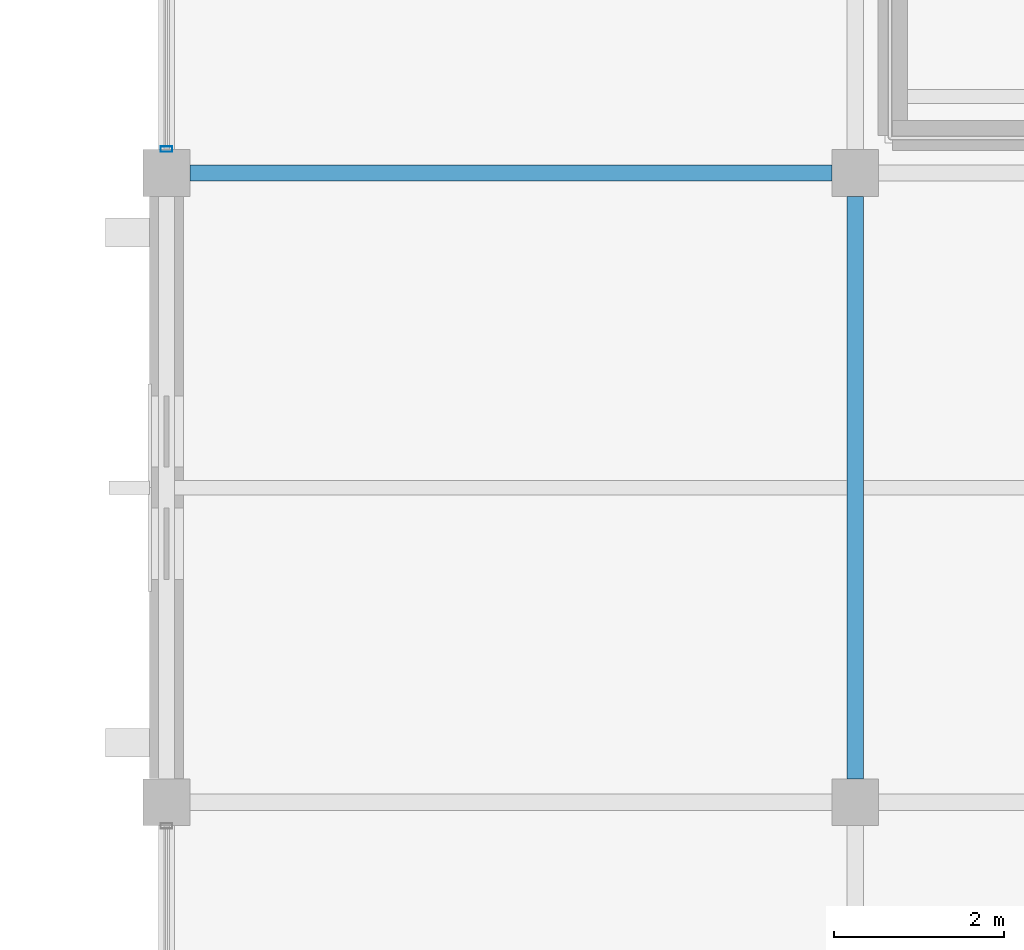
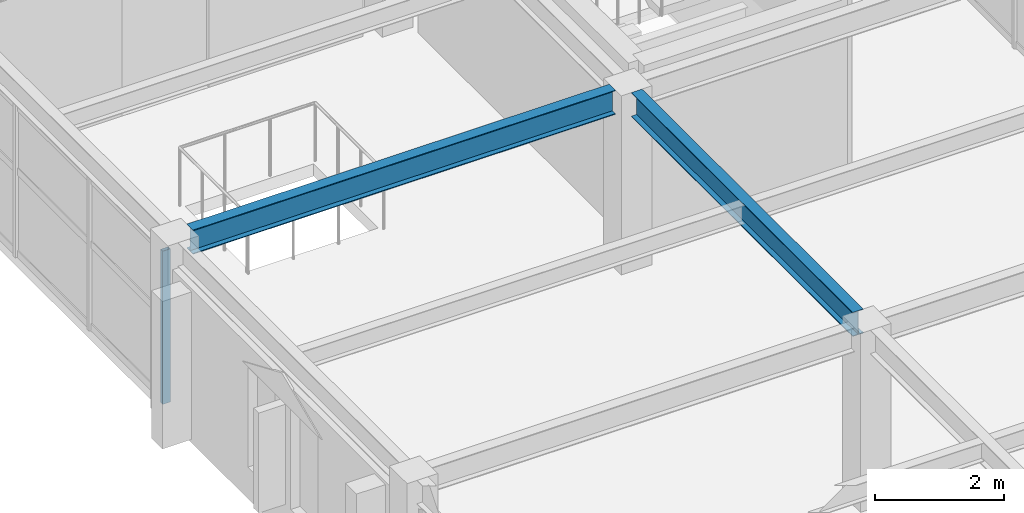
# One storey, part 13 of 93: 2 beams, 1 member, 1 element without a shape of its own.
"""IFC4 building model written with IfcOpenShell, lengths in metres."""

from ifc_helpers import new_model, si_unit, direction, frame, origin, origin_2d, place, context, subcontext, project, spatial, hollow_rectangle, i_section, extrude, material, material_profile, profile_set, type_object, element, aggregate, save


model = new_model("IFC4")

# Units and contexts
model_context = context("Model", 3, precision=1e-05, world=origin(), true_north=direction((0.0, 1.0)))
body_context = subcontext(model_context, "Body", "Model", "MODEL_VIEW")
ifc_project = project(units=[si_unit("LENGTHUNIT", "METRE"), si_unit("AREAUNIT", "SQUARE_METRE"), si_unit("VOLUMEUNIT", "CUBIC_METRE"), si_unit("PLANEANGLEUNIT", "RADIAN"), si_unit("MASSUNIT", "GRAM", prefix="KILO")], contexts=[model_context])

# Site, building, storey
site_placement = place(None, origin())
site = spatial("IfcSite", under=ifc_project, at=site_placement, CompositionType="ELEMENT")
building_placement = place(site_placement, origin())
building = spatial("IfcBuilding", under=site, at=building_placement, Name="Cimatlan Art Gallery", CompositionType="ELEMENT")
storey_placement = place(building_placement, frame((0.0, 0.0, 13.800048828125)))
storey = spatial("IfcBuildingStorey", under=building, at=storey_placement, Name="L03", CompositionType="ELEMENT", Elevation=13.800048828125)

# Beams
ifc_material_1 = material(Name="Steel ASTM A992 Grade 50", Category="steel")
ifc_material_profile_1 = material_profile(ifc_material_1, i_section(OverallWidth=0.19091796875, OverallDepth=0.45703125, WebThickness=0.009033203125, FlangeThickness=0.014404296875, at=origin_2d()), Name="W18X50")
ifc_profile_set_1 = profile_set([ifc_material_profile_1], Name="Steel ASTM A992 Grade 50")
beam_type = type_object("IfcBeamType", Name="BM-STL-W18X50", PredefinedType="BEAM", material=ifc_profile_set_1)
beam_1_placement = place(storey_placement, frame((42.5, 46.375, 3.1513671875), z_axis=(0.0, 1.0, 0.0), x_axis=(-1.0, 0.0, 0.0)))
element("IfcBeam", 1, at=beam_1_placement, inside=storey, type_object=beam_type, Name="BM-Y-L03-05-06", PredefinedType="BEAM", context=body_context, shape_type="SweptSolid", body=[
    extrude(i_section(OverallWidth=0.19091796875, OverallDepth=0.45703125, WebThickness=0.009033203125, FlangeThickness=0.014404296875, at=origin_2d()), origin(), (0.0, 0.0, 1.0), 6.85009765625),
])
beam_2_placement = place(storey_placement, frame((34.675048828125, 53.5, 3.1513671875), z_axis=(1.0, 0.0, 0.0), x_axis=(0.0, 1.0, 0.0)))
element("IfcBeam", 2, at=beam_2_placement, inside=storey, type_object=beam_type, Name="BM-X-L03-04-07", PredefinedType="BEAM", context=body_context, shape_type="SweptSolid", body=[
    extrude(i_section(OverallWidth=0.19091796875, OverallDepth=0.45703125, WebThickness=0.009033203125, FlangeThickness=0.014404296875, at=origin_2d()), origin(), (0.0, 0.0, 1.0), 7.550048828125),
])

# Curtain wall, member
ifc_material_2 = material(Name="Anodised bronze unitised curtain wall")
curtain_wall_type = type_object("IfcCurtainWallType", Name="CW-V-06842X02893-B3", PredefinedType="NOTDEFINED", material=ifc_material_2)
curtain_wall_placement = place(storey_placement, origin())
curtain_wall = element("IfcCurtainWall", 3, at=curtain_wall_placement, inside=storey, type_object=curtain_wall_type, Name="CW-L03-04-07-W", PredefinedType="NOTDEFINED")
ifc_material_3 = material(Name="Anodised bronze aluminium 6063-T6", Category="aluminium")
ifc_material_profile_2 = material_profile(ifc_material_3, hollow_rectangle(XDim=0.06494140625, YDim=0.139892578125, WallThickness=0.00390625, at=origin_2d()), Name="ALU65X140X4")
ifc_profile_set_2 = profile_set([ifc_material_profile_2], Name="Anodised bronze aluminium 6063-T6")
member_type = type_object("IfcMemberType", Name="CW-MUL-140", PredefinedType="MULLION", material=ifc_profile_set_2)
member_placement = place(storey_placement, frame((34.39990234375, 53.779052734375, 0.0), z_axis=(0.0, 0.0, 1.0), x_axis=(0.0, 1.0, 0.0)))
member = element("IfcMember", 4, at=member_placement, type_object=member_type, Name="CW-L03-04-07-W-M1", PredefinedType="MULLION", context=body_context, shape_type="SweptSolid", body=[
    extrude(hollow_rectangle(XDim=0.06494140625, YDim=0.139892578125, WallThickness=0.00390625, at=origin_2d()), origin(), (0.0, 0.0, 1.0), 2.89306640625),
])
aggregate(curtain_wall, [member])

save(model, "model.ifc")
